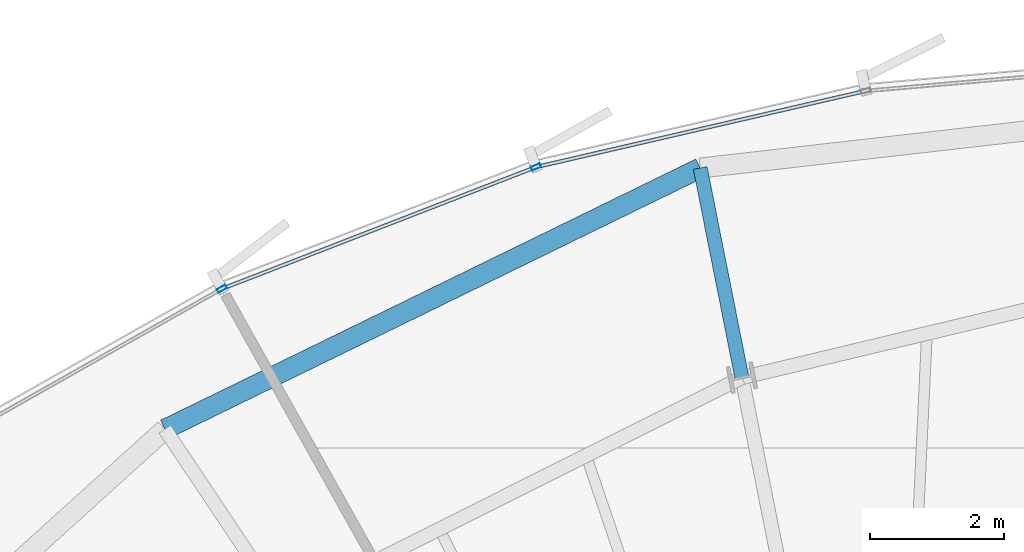
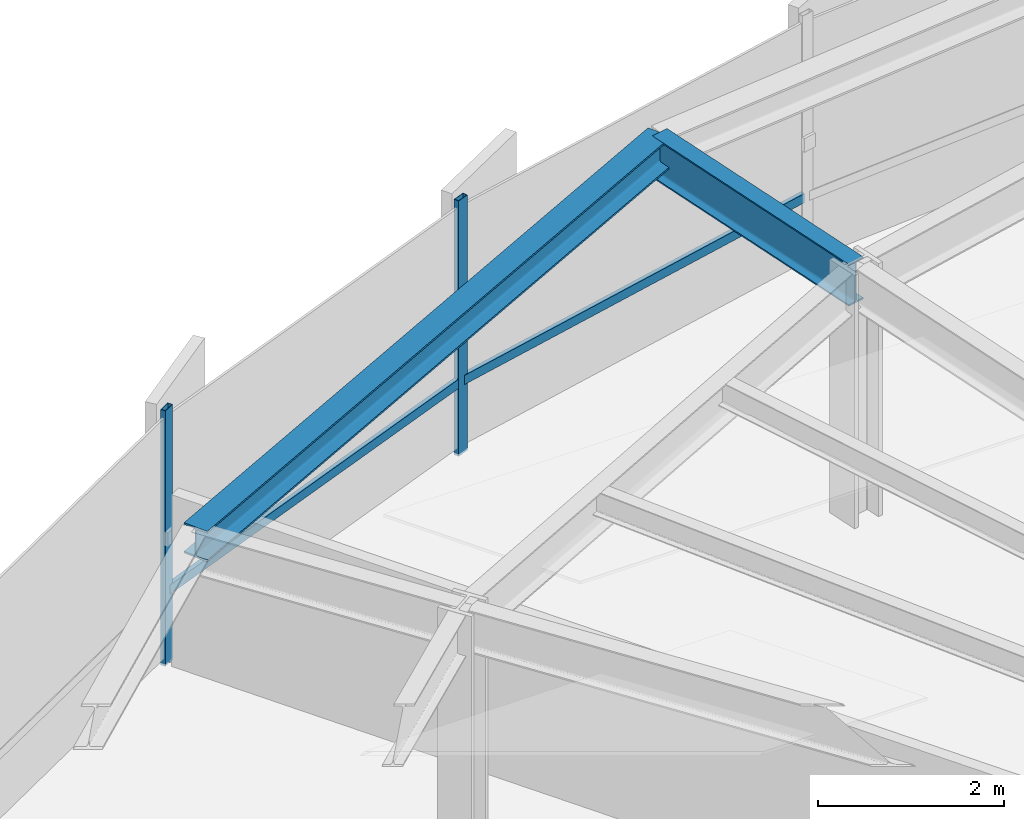
# One storey, part 21 of 35: 4 members, 2 beams, 1 element without a shape of its own.
"""IFC4 building model written with IfcOpenShell, lengths in metres."""

import ifcopenshell
import ifcopenshell.guid

model = None  # the IFC model being written
_history = None  # IfcOwnerHistory: only IFC2X3 demands one
_inside = {}  # id of a spatial element -> (the spatial element, [elements in it])
_under = {}  # id of a project, library or spatial element -> (it, [spatial elements below it])
_declared = {}  # id of a project -> (the project, [libraries it declares])
_typed = {}  # id of a type object -> (the type object, [elements of that type])
_made_of = {}  # id of a material, layer set ... -> (it, [elements and type objects made of it])


def new_model(schema):
    """Start an empty IFC model of exactly this schema.

    Asked for "IFC4X3", IfcOpenShell would pick the latest addendum, in which some entities
    have other attributes; the version numbers below select the first issue.
    IFC2X3 requires an IfcOwnerHistory on every rooted entity: one is made here for all.
    """
    global model, _history
    if schema == "IFC4X3":
        model = ifcopenshell.file(schema_version=(4, 3, 0, 0))
    else:
        model = ifcopenshell.file(schema=schema)
    _inside.clear()
    _under.clear()
    _declared.clear()
    _typed.clear()
    _made_of.clear()
    _history = None
    if model.schema == "IFC2X3":
        org = make("IfcOrganization", Name="unknown")
        user = make(
            "IfcPersonAndOrganization",
            ThePerson=make("IfcPerson", FamilyName="unknown"),
            TheOrganization=org,
        )
        app = make(
            "IfcApplication",
            ApplicationDeveloper=org,
            Version="unknown",
            ApplicationFullName="unknown",
            ApplicationIdentifier="unknown",
        )
        _history = make(
            "IfcOwnerHistory",
            OwningUser=user,
            OwningApplication=app,
            ChangeAction="ADDED",
            CreationDate=0,
        )
    return model


def make(cls, **values):
    """One entity of the class cls with the attributes given. An attribute that is None is left unset."""
    return model.create_entity(
        cls, **{name: value for name, value in values.items() if value is not None}
    )


def rooted(cls, **values):
    """An entity with a GlobalId (a new one), such as an element, a storey or a relation."""
    return make(cls, GlobalId=ifcopenshell.guid.new(), OwnerHistory=_history, **values)


def si_unit(unit_type, name, prefix=None):
    """IfcSIUnit, for example si_unit("LENGTHUNIT", "METRE", prefix="MILLI")."""
    return make("IfcSIUnit", UnitType=unit_type, Prefix=prefix, Name=name)


def assignment(units):
    """IfcUnitAssignment: the units of a project."""
    return None if units is None else make("IfcUnitAssignment", Units=units)


def point(xyz):
    """IfcCartesianPoint."""
    return None if xyz is None else make("IfcCartesianPoint", Coordinates=xyz)


def direction(xyz):
    """IfcDirection."""
    return None if xyz is None else make("IfcDirection", DirectionRatios=xyz)


def frame(location, z_axis=None, x_axis=None):
    """IfcAxis2Placement3D, a coordinate frame: its origin and axes. An axis left out is left unset."""
    return make(
        "IfcAxis2Placement3D",
        Location=point(location),
        Axis=direction(z_axis),
        RefDirection=direction(x_axis),
    )


def frame_2d(location, x_axis=None):
    """IfcAxis2Placement2D, a coordinate frame in the plane: its origin and x axis."""
    return make(
        "IfcAxis2Placement2D", Location=point(location), RefDirection=direction(x_axis)
    )


def origin():
    """The frame at (0, 0, 0) with its axes left unset."""
    return frame((0.0, 0.0, 0.0))


def origin_2d():
    """The frame at (0, 0) in the plane with its x axis left unset."""
    return frame_2d((0.0, 0.0))


def place(relative_to, where):
    """IfcLocalPlacement: puts the frame where relative to a parent placement (None: the world)."""
    return make(
        "IfcLocalPlacement", PlacementRelTo=relative_to, RelativePlacement=where
    )


def context(
    kind, dimensions, precision=None, world=None, true_north=None, identifier=None
):
    """IfcGeometricRepresentationContext, for example the 3D "Model" context."""
    return make(
        "IfcGeometricRepresentationContext",
        ContextIdentifier=identifier,
        ContextType=kind,
        CoordinateSpaceDimension=dimensions,
        Precision=precision,
        WorldCoordinateSystem=world,
        TrueNorth=true_north,
    )


def subcontext(parent, identifier, kind, view, scale=None):
    """IfcGeometricRepresentationSubContext, for example "Body" below "Model"."""
    return make(
        "IfcGeometricRepresentationSubContext",
        ContextIdentifier=identifier,
        ContextType=kind,
        ParentContext=parent,
        TargetScale=scale,
        TargetView=view,
    )


def project(units=None, contexts=None):
    """IfcProject with its units and contexts."""
    return rooted(
        "IfcProject",
        Name="project",
        RepresentationContexts=contexts,
        UnitsInContext=assignment(units),
    )


def spatial(cls, under=None, at=None, **own):
    """A site, building, storey or space (cls), placed at a placement, below another one or the project."""
    s = rooted(cls, ObjectPlacement=at, **own)
    if under is not None:
        _under.setdefault(under.id(), (under, []))[1].append(s)
    return s


def profile(cls, at=None, kind="AREA", **sizes):
    """A parametric profile (cls). Its sizes go by their IFC names, for example OverallWidth=200.0."""
    return make(cls, ProfileType=kind, Position=at, **sizes)


def hollow_rectangle(**sizes):
    """IfcRectangleHollowProfileDef."""
    return profile("IfcRectangleHollowProfileDef", **sizes)


def i_section(**sizes):
    """IfcIShapeProfileDef."""
    return profile("IfcIShapeProfileDef", **sizes)


def extrude(swept, where, along, depth):
    """IfcExtrudedAreaSolid: the profile swept, set in the frame where, extruded along a direction by depth."""
    return make(
        "IfcExtrudedAreaSolid",
        SweptArea=swept,
        Position=where,
        ExtrudedDirection=direction(along),
        Depth=depth,
    )


def shape(context_of_items, identifier, shape_type, items):
    """IfcShapeRepresentation: the items that make up one representation, for example the "Body"."""
    return make(
        "IfcShapeRepresentation",
        ContextOfItems=context_of_items,
        RepresentationIdentifier=identifier,
        RepresentationType=shape_type,
        Items=items,
    )


def source(mapping_origin, context_of_items, identifier, shape_type, items):
    """IfcRepresentationMap: a shape defined once, which mapped items show again and again."""
    return make(
        "IfcRepresentationMap",
        MappingOrigin=mapping_origin,
        MappedRepresentation=shape(context_of_items, identifier, shape_type, items),
    )


def transform(
    local_origin,
    x_axis=None,
    y_axis=None,
    z_axis=None,
    scale=None,
    scale2=None,
    scale3=None,
    uniform=True,
):
    """IfcCartesianTransformationOperator3D, or its non-uniform kind. x_axis, y_axis, z_axis: its Axis1, 2, 3."""
    if uniform:
        return make(
            "IfcCartesianTransformationOperator3D",
            Axis1=direction(x_axis),
            Axis2=direction(y_axis),
            LocalOrigin=point(local_origin),
            Scale=scale,
            Axis3=direction(z_axis),
        )
    return make(
        "IfcCartesianTransformationOperator3DnonUniform",
        Axis1=direction(x_axis),
        Axis2=direction(y_axis),
        LocalOrigin=point(local_origin),
        Scale=scale,
        Axis3=direction(z_axis),
        Scale2=scale2,
        Scale3=scale3,
    )


def mapped(mapping_source, mapping_target):
    """IfcMappedItem: shows the shape of a source again, moved by a transform."""
    return make(
        "IfcMappedItem", MappingSource=mapping_source, MappingTarget=mapping_target
    )


def material(Name=None, Category=None):
    """IfcMaterial."""
    return make("IfcMaterial", Name=Name, Category=Category)


def layer(
    of_material, thickness, ventilated=None, Name=None, Category=None, Priority=None
):
    """IfcMaterialLayer: one layer of a wall or slab, of a material (None: an air gap)."""
    return make(
        "IfcMaterialLayer",
        Material=of_material,
        LayerThickness=thickness,
        IsVentilated=ventilated,
        Name=Name,
        Category=Category,
        Priority=Priority,
    )


def layer_set(layers, Name=None):
    """IfcMaterialLayerSet."""
    return make("IfcMaterialLayerSet", MaterialLayers=layers, LayerSetName=Name)


def material_profile(
    of_material, cross_section, Name=None, Category=None, Priority=None
):
    """IfcMaterialProfile: a cross section and its material."""
    return make(
        "IfcMaterialProfile",
        Name=Name,
        Material=of_material,
        Profile=cross_section,
        Priority=Priority,
        Category=Category,
    )


def profile_set(profiles, Name=None, composite=None):
    """IfcMaterialProfileSet."""
    return make(
        "IfcMaterialProfileSet",
        Name=Name,
        MaterialProfiles=profiles,
        CompositeProfile=composite,
    )


def made_of(thing, what):
    """Note that an element or type object is made of a material, layer set ...; save() writes the relation."""
    if what is not None:
        _made_of.setdefault(what.id(), (what, []))[1].append(thing)
    return thing


def type_object(cls, material=None, **own):
    """A type object (cls), such as IfcWallType, which elements share."""
    return made_of(rooted(cls, **own), material)


def element(
    cls,
    number,
    at=None,
    inside=None,
    cuts=None,
    type_object=None,
    material=None,
    context=None,
    identifier="Body",
    shape_type=None,
    held_by="IfcProductDefinitionShape",
    body=None,
    shapes=None,
    **own,
):
    """One element of the class cls, such as IfcWall. Its Tag is "e" and its number.

    at: its placement. inside: the storey or other place that contains it. cuts: it is an
    opening in that element (IfcRelVoidsElement). A single representation is given by context,
    identifier, shape_type and body (its items); several are given by shapes. held_by: the class
    of the entity that holds the representations. save() writes the other relations.
    """
    e = rooted(cls, Tag="e%d" % number, ObjectPlacement=at, **own)
    if body is not None:
        shapes = [shape(context, identifier, shape_type, body)]
    if shapes is not None:
        e.Representation = make(held_by, Representations=shapes)
    if inside is not None:
        _inside.setdefault(inside.id(), (inside, []))[1].append(e)
    if cuts is not None:
        rooted(
            "IfcRelVoidsElement", RelatingBuildingElement=cuts, RelatedOpeningElement=e
        )
    if type_object is not None:
        _typed.setdefault(type_object.id(), (type_object, []))[1].append(e)
    return made_of(e, material)


def aggregate(whole, parts):
    """IfcRelAggregates: a whole, such as a stair, and the parts it consists of."""
    return rooted("IfcRelAggregates", RelatingObject=whole, RelatedObjects=parts)


def save(model, path):
    """Write the relations noted so far, then the file.

    IfcRelAggregates (storeys below a building ...), IfcRelContainedInSpatialStructure (elements
    in a storey), IfcRelDefinesByType, IfcRelAssociatesMaterial and IfcRelDeclares: one each for
    every whole, place, type object, material and project.
    """
    for whole, parts in _under.values():
        aggregate(whole, parts)
    for where, things in _inside.values():
        rooted(
            "IfcRelContainedInSpatialStructure",
            RelatedElements=things,
            RelatingStructure=where,
        )
    for kind, things in _typed.values():
        rooted("IfcRelDefinesByType", RelatedObjects=things, RelatingType=kind)
    for what, things in _made_of.values():
        rooted("IfcRelAssociatesMaterial", RelatedObjects=things, RelatingMaterial=what)
    for by, libraries in _declared.values():
        rooted("IfcRelDeclares", RelatingContext=by, RelatedDefinitions=libraries)
    model.write(path)


model = new_model("IFC4")

# Units and contexts
model_context = context("Model", 3, precision=1e-05, world=origin(), true_north=direction((0.0, 1.0)))
body_context = subcontext(model_context, "Body", "Model", "MODEL_VIEW")
ifc_project = project(units=[si_unit("LENGTHUNIT", "METRE"), si_unit("AREAUNIT", "SQUARE_METRE"), si_unit("VOLUMEUNIT", "CUBIC_METRE"), si_unit("PLANEANGLEUNIT", "RADIAN"), si_unit("MASSUNIT", "GRAM", prefix="KILO"), si_unit("THERMODYNAMICTEMPERATUREUNIT", "KELVIN")], contexts=[model_context])

# Site, building, storey
site_placement = place(None, origin())
site = spatial("IfcSite", under=ifc_project, at=site_placement, CompositionType="ELEMENT")
building_placement = place(site_placement, origin())
building = spatial("IfcBuilding", under=site, at=building_placement, Name="Kethvar Cultural Tower", CompositionType="ELEMENT")
storey_placement = place(building_placement, frame((0.0, 0.0, 103.60009765625)))
storey = spatial("IfcBuildingStorey", under=building, at=storey_placement, Name="L25", CompositionType="ELEMENT", Elevation=103.60009765625)

# Beams
ifc_material_1 = material(Name="Steel S355J2", Category="steel")
ifc_material_profile_1 = material_profile(ifc_material_1, i_section(OverallWidth=0.2099609375, OverallDepth=0.550048828125, WebThickness=0.010986328125, FlangeThickness=0.01708984375, FilletRadius=0.02392578125, at=origin_2d()), Name="Steel S355J2 — IPE550")
ifc_profile_set_1 = profile_set([ifc_material_profile_1], Name="Steel S355J2 — IPE550")
beam_type_1 = type_object("IfcBeamType", Name="BM-IPE550", PredefinedType="BEAM", material=ifc_profile_set_1)
shared_shape_1 = source(origin(), body_context, "Body", "SweptSolid", [
    extrude(i_section(OverallWidth=0.2099609375, OverallDepth=0.550048828125, WebThickness=0.010986328125, FlangeThickness=0.01708984375, FilletRadius=0.02392578125, at=origin_2d()), origin(), (0.0, 0.0, 1.0), 3.199951171875),
])
beam_1_placement = place(storey_placement, frame((42.9189453125, 47.311279296875, 3.072998046875), z_axis=(-0.195088965533, 0.980785550224, 0.0), x_axis=(-0.980785550224, -0.195088965533, 0.0)))
element("IfcBeam", 1, at=beam_1_placement, inside=storey, type_object=beam_type_1, Name="L25 Perimeter Cantilever Beam RC-05", PredefinedType="BEAM", context=body_context, shape_type="MappedRepresentation", body=[
    mapped(shared_shape_1, transform((0.0, 0.0, 0.0), scale=1.0)),
])
ifc_material_profile_2 = material_profile(ifc_material_1, i_section(OverallWidth=0.300048828125, OverallDepth=0.39990234375, WebThickness=0.013427734375, FlangeThickness=0.02392578125, FilletRadius=0.027099609375, at=origin_2d()), Name="Steel S355J2 — HEB400")
ifc_profile_set_2 = profile_set([ifc_material_profile_2], Name="Steel S355J2 — HEB400")
beam_type_2 = type_object("IfcBeamType", Name="BM-SP400", PredefinedType="SPANDREL", material=ifc_profile_set_2)
shared_shape_2 = source(origin(), body_context, "Body", "SweptSolid", [
    extrude(i_section(OverallWidth=0.300048828125, OverallDepth=0.39990234375, WebThickness=0.013427734375, FlangeThickness=0.02392578125, FilletRadius=0.027099609375, at=origin_2d()), origin(), (0.0, 0.0, 1.0), 8.91845703125),
])
beam_2_placement = place(storey_placement, frame((42.294677734375, 50.44970703125, 3.14794921875), z_axis=(-0.898683713341, -0.438597290662, 0.0), x_axis=(0.438597290662, -0.898683713341, 0.0)))
element("IfcBeam", 2, at=beam_2_placement, inside=storey, type_object=beam_type_2, Name="L25 Perimeter Spandrel Beam SP-05", PredefinedType="SPANDREL", context=body_context, shape_type="MappedRepresentation", body=[
    mapped(shared_shape_2, transform((0.0, 0.0, 0.0), scale=1.0)),
])

# Curtain wall, members
ifc_material_2 = material(Name="Aluminium 6063-T6", Category="aluminium")
ifc_layer = layer(ifc_material_2, 0.179931640625, Name="Aluminium 6063-T6", Category="aluminium")
ifc_layer_set = layer_set([ifc_layer], Name="Aluminium 6063-T6 (180 mm)")
curtain_wall_type = type_object("IfcCurtainWallType", Name="CW-SYS-03-Z2", PredefinedType="NOTDEFINED", material=ifc_layer_set)
curtain_wall_placement = place(storey_placement, origin())
curtain_wall = element("IfcCurtainWall", 3, at=curtain_wall_placement, inside=storey, type_object=curtain_wall_type, Name="L25 Curtain Wall Run 02", PredefinedType="NOTDEFINED")
ifc_material_profile_3 = material_profile(ifc_material_2, hollow_rectangle(XDim=0.06005859375, YDim=0.14990234375, WallThickness=0.0048828125, at=origin_2d()), Name="Aluminium 6063-T6 — RHS150x60x5")
ifc_profile_set_3 = profile_set([ifc_material_profile_3], Name="Aluminium 6063-T6 — RHS150x60x5")
member_type_1 = type_object("IfcMemberType", Name="CW-SYS-03-Z2-MUL", PredefinedType="MULLION", material=ifc_profile_set_3)
shared_shape_3 = source(origin(), body_context, "Body", "SweptSolid", [
    extrude(hollow_rectangle(XDim=0.06005859375, YDim=0.14990234375, WallThickness=0.0048828125, at=origin_2d()), origin(), (0.0, 0.0, 1.0), 3.349853515625),
])
member_1_placement = place(storey_placement, frame((39.8359375, 50.465087890625, 0.0), z_axis=(0.0, 0.0, 1.0), x_axis=(0.361657114102, -0.932311177569, 0.0)))
member_1 = element("IfcMember", 4, at=member_1_placement, type_object=member_type_1, Name="CW-L25-R02 Mullion 4", PredefinedType="MULLION", context=body_context, shape_type="MappedRepresentation", body=[
    mapped(shared_shape_3, transform((0.0, 0.0, 0.0), scale=1.0)),
])
member_2_placement = place(storey_placement, frame((35.133544921875, 48.642333984375, 0.0), z_axis=(0.0, 0.0, 1.0), x_axis=(0.492256454731, -0.870450218436, 0.0)))
member_2 = element("IfcMember", 5, at=member_2_placement, type_object=member_type_1, Name="CW-L25-R02 Mullion 5", PredefinedType="MULLION", context=body_context, shape_type="MappedRepresentation", body=[
    mapped(shared_shape_3, transform((0.0, 0.0, 0.0), scale=1.0)),
])
ifc_material_profile_4 = material_profile(ifc_material_2, hollow_rectangle(XDim=0.054931640625, YDim=0.1201171875, WallThickness=0.00390625, at=origin_2d()), Name="Aluminium 6063-T6 — RHS120x55x4")
ifc_profile_set_4 = profile_set([ifc_material_profile_4], Name="Aluminium 6063-T6 — RHS120x55x4")
member_type_2 = type_object("IfcMemberType", Name="CW-SYS-03-Z2-TRN", PredefinedType="USERDEFINED", material=ifc_profile_set_4)
shared_shape_4 = source(origin(), body_context, "Body", "SweptSolid", [
    extrude(hollow_rectangle(XDim=0.054931640625, YDim=0.1201171875, WallThickness=0.00390625, at=origin_2d()), origin(), (0.0, 0.0, 1.0), 4.973388671875),
])
member_3_placement = place(storey_placement, frame((39.795654296875, 50.44970703125, 0.949951171875), z_axis=(-0.932299160747, -0.361688090585, 0.0), x_axis=(0.361688090585, -0.932299160747, 0.0)))
member_3 = element("IfcMember", 6, at=member_3_placement, type_object=member_type_2, Name="CW-L25-R02 Transom 4", ObjectType="TRANSOM", PredefinedType="USERDEFINED", context=body_context, shape_type="MappedRepresentation", body=[
    mapped(shared_shape_4, transform((0.0, 0.0, 0.0), scale=1.0)),
])
shared_shape_5 = source(origin(), body_context, "Body", "SweptSolid", [
    extrude(hollow_rectangle(XDim=0.054931640625, YDim=0.1201171875, WallThickness=0.00390625, at=origin_2d()), origin(), (0.0, 0.0, 1.0), 4.99853515625),
])
member_4_placement = place(storey_placement, frame((44.732421875, 51.595947265625, 0.949951171875), z_axis=(-0.974309636113, -0.225212639469, 0.0), x_axis=(0.225212639469, -0.974309636113, 0.0)))
member_4 = element("IfcMember", 7, at=member_4_placement, type_object=member_type_2, Name="CW-L25-R02 Transom 3", ObjectType="TRANSOM", PredefinedType="USERDEFINED", context=body_context, shape_type="MappedRepresentation", body=[
    mapped(shared_shape_5, transform((0.0, 0.0, 0.0), scale=1.0)),
])
aggregate(curtain_wall, [member_1, member_2, member_4, member_3])

save(model, "model.ifc")
